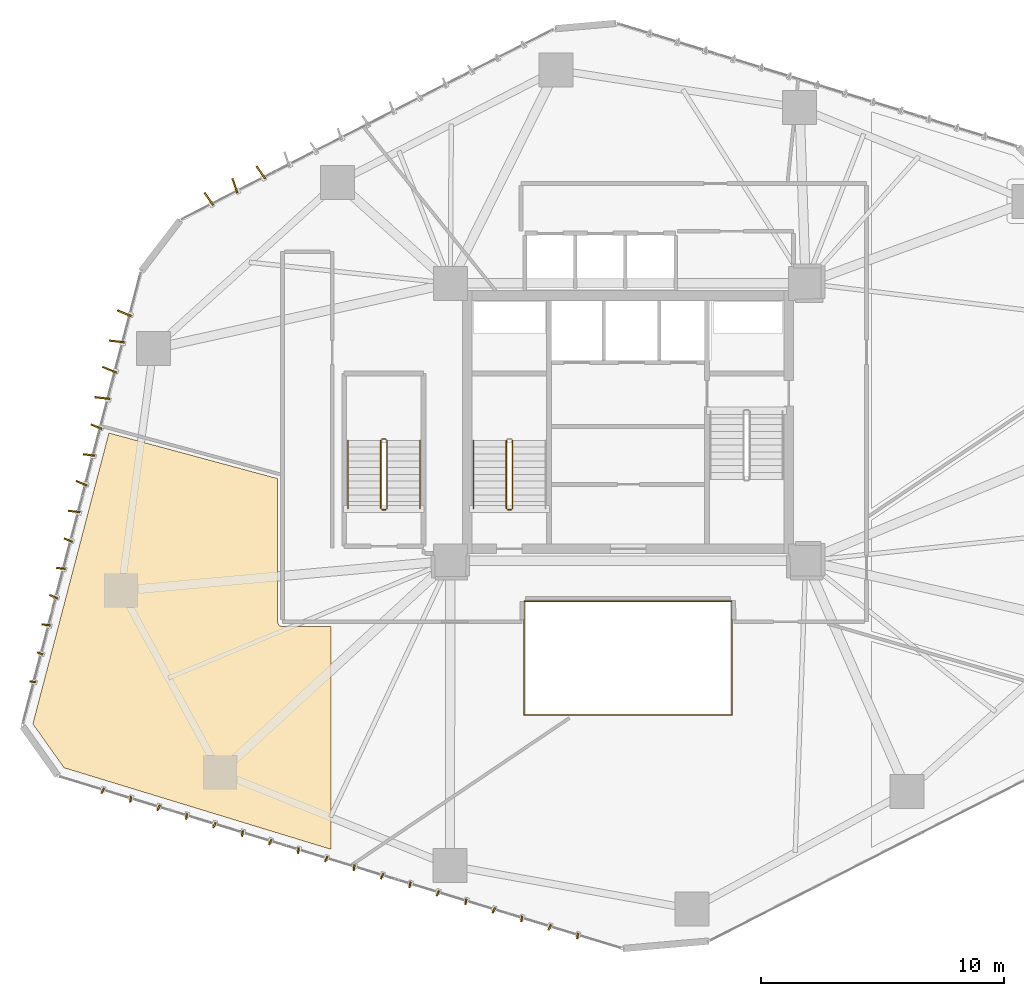
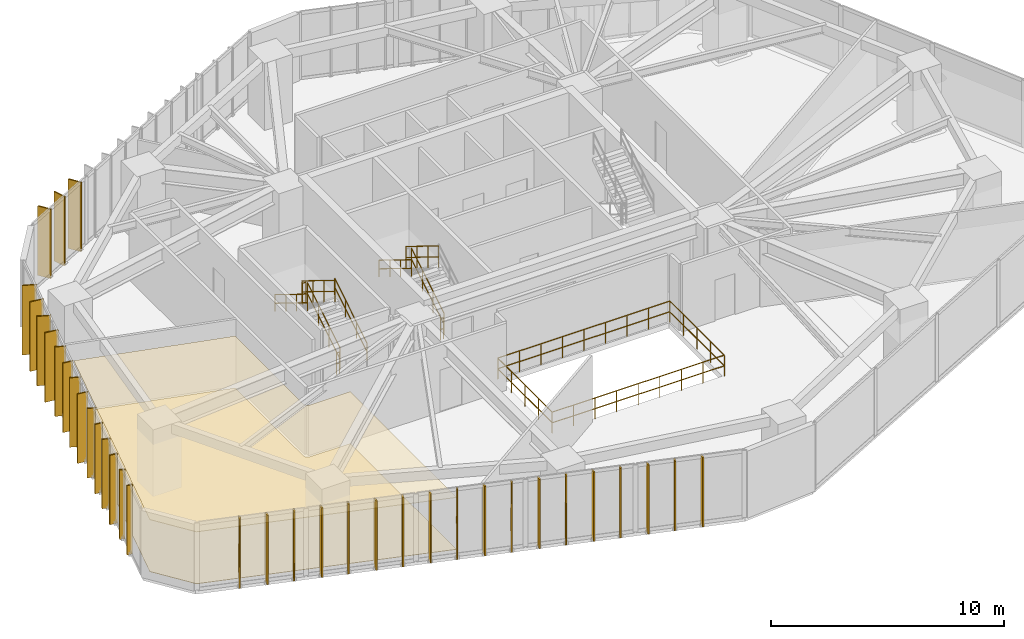
# One storey, part 22 of 24: 35 shading devices, 14 railings, 2 coverings.
"""IFC4 building model written with IfcOpenShell, lengths in metres."""

from ifc_helpers import new_model, si_unit, direction, frame, origin, origin_2d, place, context, subcontext, project, spatial, polyline, rectangle, circle, outline, extrude, source, transform, mapped, material, layer, layer_set, type_object, type_shapes, element, save


model = new_model("IFC4")

# Units and contexts
model_context = context("Model", 3, precision=1e-05, world=origin(), true_north=direction((0.0, 1.0)))
body_context = subcontext(model_context, "Body", "Model", "MODEL_VIEW")
ifc_project = project(units=[si_unit("LENGTHUNIT", "METRE"), si_unit("AREAUNIT", "SQUARE_METRE"), si_unit("VOLUMEUNIT", "CUBIC_METRE"), si_unit("PLANEANGLEUNIT", "RADIAN"), si_unit("MASSUNIT", "GRAM", prefix="KILO")], contexts=[model_context])

# Site, building, storey
site_placement = place(None, origin())
site = spatial("IfcSite", under=ifc_project, at=site_placement, CompositionType="ELEMENT")
building_placement = place(site_placement, origin())
building = spatial("IfcBuilding", under=site, at=building_placement, Name="Talar Marvaseh", CompositionType="ELEMENT")
storey_placement = place(building_placement, frame((0.0, 0.0, 39.199951171875)))
storey = spatial("IfcBuildingStorey", under=building, at=storey_placement, Name="L09", CompositionType="ELEMENT", Elevation=39.199951171875)

# Railings
ifc_material_1 = material(Name="Stainless Steel Grade 316", Category="steel")
railing_type_1 = type_object("IfcRailingType", Name="Brushed Stainless Wall Pitch Handrail 900", PredefinedType="HANDRAIL", material=ifc_material_1)
railing_1_placement = place(storey_placement, frame((19.64990234375, 30.449951171875, 2.07275390625)))
element("IfcRailing", 1, at=railing_1_placement, inside=storey, type_object=railing_type_1, Name="L09 ST-1 stair handrail 2", PredefinedType="HANDRAIL", context=body_context, shape_type="SweptSolid", body=[
    extrude(circle(Radius=0.02392578125, at=origin_2d()), frame((0.0, 0.0, 0.8759765625), z_axis=(0.0, -0.851089632645, 0.525020415988), x_axis=(1.0, 0.0, 0.0)), (0.0, 0.0, 1.0), 3.2900390625),
    extrude(circle(Radius=0.02392578125, at=origin_2d()), frame((0.0, 0.0, 0.42578125), z_axis=(0.0, -0.851089632645, 0.525020415988), x_axis=(1.0, 0.0, 0.0)), (0.0, 0.0, 1.0), 3.2900390625),
    extrude(circle(Radius=0.02099609375, at=origin_2d()), origin(), (0.0, 0.0, 1.0), 0.851806640625),
    extrude(circle(Radius=0.02099609375, at=origin_2d()), frame((0.0, -0.933349609375, 0.57568359375)), (0.0, 0.0, 1.0), 0.851806640625),
    extrude(circle(Radius=0.02099609375, at=origin_2d()), frame((0.0, -1.86669921875, 1.151611328125)), (0.0, 0.0, 1.0), 0.851806640625),
    extrude(circle(Radius=0.02099609375, at=origin_2d()), frame((0.0, -2.800048828125, 1.727294921875)), (0.0, 0.0, 1.0), 0.851806640625),
])
railing_2_placement = place(storey_placement, frame((17.449951171875, 27.64990234375, 0.1728515625)))
element("IfcRailing", 2, at=railing_2_placement, inside=storey, type_object=railing_type_1, Name="L09 ST-3 stair handrail 1", PredefinedType="HANDRAIL", context=body_context, shape_type="SweptSolid", body=[
    extrude(circle(Radius=0.02392578125, at=origin_2d()), frame((0.0, 0.0, 0.8759765625), z_axis=(0.0, 0.851089632645, 0.525020415988), x_axis=(-1.0, 0.0, 0.0)), (0.0, 0.0, 1.0), 3.2900390625),
    extrude(circle(Radius=0.02392578125, at=origin_2d()), frame((0.0, 0.0, 0.42578125), z_axis=(0.0, 0.851089632645, 0.525020415988), x_axis=(-1.0, 0.0, 0.0)), (0.0, 0.0, 1.0), 3.2900390625),
    extrude(circle(Radius=0.02099609375, at=origin_2d()), origin(), (0.0, 0.0, 1.0), 0.851806640625),
    extrude(circle(Radius=0.02099609375, at=origin_2d()), frame((0.0, 0.933349609375, 0.57568359375)), (0.0, 0.0, 1.0), 0.851806640625),
    extrude(circle(Radius=0.02099609375, at=origin_2d()), frame((0.0, 1.86669921875, 1.151611328125)), (0.0, 0.0, 1.0), 0.851806640625),
    extrude(circle(Radius=0.02099609375, at=origin_2d()), frame((0.0, 2.800048828125, 1.727294921875)), (0.0, 0.0, 1.0), 0.851806640625),
])
railing_3_placement = place(storey_placement, frame((14.489990234375, 30.449951171875, 2.07275390625)))
element("IfcRailing", 3, at=railing_3_placement, inside=storey, type_object=railing_type_1, Name="L09 ST-3 stair handrail 2", PredefinedType="HANDRAIL", context=body_context, shape_type="SweptSolid", body=[
    extrude(circle(Radius=0.02392578125, at=origin_2d()), frame((0.0, 0.0, 0.8759765625), z_axis=(0.0, -0.851089632645, 0.525020415988), x_axis=(1.0, 0.0, 0.0)), (0.0, 0.0, 1.0), 3.2900390625),
    extrude(circle(Radius=0.02392578125, at=origin_2d()), frame((0.0, 0.0, 0.42578125), z_axis=(0.0, -0.851089632645, 0.525020415988), x_axis=(1.0, 0.0, 0.0)), (0.0, 0.0, 1.0), 3.2900390625),
    extrude(circle(Radius=0.02099609375, at=origin_2d()), origin(), (0.0, 0.0, 1.0), 0.851806640625),
    extrude(circle(Radius=0.02099609375, at=origin_2d()), frame((0.0, -0.933349609375, 0.57568359375)), (0.0, 0.0, 1.0), 0.851806640625),
    extrude(circle(Radius=0.02099609375, at=origin_2d()), frame((0.0, -1.86669921875, 1.151611328125)), (0.0, 0.0, 1.0), 0.851806640625),
    extrude(circle(Radius=0.02099609375, at=origin_2d()), frame((0.0, -2.800048828125, 1.727294921875)), (0.0, 0.0, 1.0), 0.851806640625),
])
ifc_material_2 = material(Name="Tempered Clear Glass", Category="glass")
railing_type_2 = type_object("IfcRailingType", Name="Interior Atrium Edge Balustrade 1120", PredefinedType="BALUSTRADE", material=ifc_material_2)
railing_4_placement = place(storey_placement, frame((21.729736328125, 19.16162109375, 0.0)))
element("IfcRailing", 4, at=railing_4_placement, inside=storey, type_object=railing_type_2, Name="L09 Internal Daylight Atrium Balustrade 1", PredefinedType="BALUSTRADE", context=body_context, shape_type="SweptSolid", body=[
    extrude(circle(Radius=0.02392578125, at=origin_2d()), frame((0.0, 0.0, 1.09619140625), z_axis=(1.0, 0.0, 0.0), x_axis=(0.0, 1.0, 0.0)), (0.0, 0.0, 1.0), 8.54052734375),
    extrude(circle(Radius=0.02392578125, at=origin_2d()), frame((0.0, 0.0, 0.5361328125), z_axis=(1.0, 0.0, 0.0), x_axis=(0.0, 1.0, 0.0)), (0.0, 0.0, 1.0), 8.54052734375),
    extrude(circle(Radius=0.02099609375, at=origin_2d()), origin(), (0.0, 0.0, 1.0), 1.072021484375),
    extrude(circle(Radius=0.02099609375, at=origin_2d()), frame((1.067626953125, 0.0, 0.0)), (0.0, 0.0, 1.0), 1.072021484375),
    extrude(circle(Radius=0.02099609375, at=origin_2d()), frame((2.13525390625, 0.0, 0.0)), (0.0, 0.0, 1.0), 1.072021484375),
    extrude(circle(Radius=0.02099609375, at=origin_2d()), frame((3.20263671875, 0.0, 0.0)), (0.0, 0.0, 1.0), 1.072021484375),
    extrude(circle(Radius=0.02099609375, at=origin_2d()), frame((4.270263671875, 0.0, 0.0)), (0.0, 0.0, 1.0), 1.072021484375),
    extrude(circle(Radius=0.02099609375, at=origin_2d()), frame((5.337890625, 0.0, 0.0)), (0.0, 0.0, 1.0), 1.072021484375),
    extrude(circle(Radius=0.02099609375, at=origin_2d()), frame((6.4052734375, 0.0, 0.0)), (0.0, 0.0, 1.0), 1.072021484375),
    extrude(circle(Radius=0.02099609375, at=origin_2d()), frame((7.472900390625, 0.0, 0.0)), (0.0, 0.0, 1.0), 1.072021484375),
    extrude(circle(Radius=0.02099609375, at=origin_2d()), frame((8.54052734375, 0.0, 0.0)), (0.0, 0.0, 1.0), 1.072021484375),
])
railing_5_placement = place(storey_placement, frame((30.270263671875, 19.16162109375, 0.0)))
element("IfcRailing", 5, at=railing_5_placement, inside=storey, type_object=railing_type_2, Name="L09 Internal Daylight Atrium Balustrade 2", PredefinedType="BALUSTRADE", context=body_context, shape_type="SweptSolid", body=[
    extrude(circle(Radius=0.02392578125, at=origin_2d()), frame((0.0, 0.0, 1.09619140625), z_axis=(0.0, 1.0, 0.0), x_axis=(-1.0, 0.0, 0.0)), (0.0, 0.0, 1.0), 4.6767578125),
    extrude(circle(Radius=0.02392578125, at=origin_2d()), frame((0.0, 0.0, 0.5361328125), z_axis=(0.0, 1.0, 0.0), x_axis=(-1.0, 0.0, 0.0)), (0.0, 0.0, 1.0), 4.6767578125),
    extrude(circle(Radius=0.02099609375, at=origin_2d()), origin(), (0.0, 0.0, 1.0), 1.072021484375),
    extrude(circle(Radius=0.02099609375, at=origin_2d()), frame((0.0, 1.169189453125, 0.0)), (0.0, 0.0, 1.0), 1.072021484375),
    extrude(circle(Radius=0.02099609375, at=origin_2d()), frame((0.0, 2.33837890625, 0.0)), (0.0, 0.0, 1.0), 1.072021484375),
    extrude(circle(Radius=0.02099609375, at=origin_2d()), frame((0.0, 3.507568359375, 0.0)), (0.0, 0.0, 1.0), 1.072021484375),
    extrude(circle(Radius=0.02099609375, at=origin_2d()), frame((0.0, 4.6767578125, 0.0)), (0.0, 0.0, 1.0), 1.072021484375),
])
railing_6_placement = place(storey_placement, frame((30.270263671875, 23.83837890625, 0.0)))
element("IfcRailing", 6, at=railing_6_placement, inside=storey, type_object=railing_type_2, Name="L09 Internal Daylight Atrium Balustrade 3", PredefinedType="BALUSTRADE", context=body_context, shape_type="SweptSolid", body=[
    extrude(circle(Radius=0.02392578125, at=origin_2d()), frame((0.0, 0.0, 1.09619140625), z_axis=(-1.0, 0.0, 0.0), x_axis=(0.0, -1.0, 0.0)), (0.0, 0.0, 1.0), 8.54052734375),
    extrude(circle(Radius=0.02392578125, at=origin_2d()), frame((0.0, 0.0, 0.5361328125), z_axis=(-1.0, 0.0, 0.0), x_axis=(0.0, -1.0, 0.0)), (0.0, 0.0, 1.0), 8.54052734375),
    extrude(circle(Radius=0.02099609375, at=origin_2d()), origin(), (0.0, 0.0, 1.0), 1.072021484375),
    extrude(circle(Radius=0.02099609375, at=origin_2d()), frame((-1.067626953125, 0.0, 0.0)), (0.0, 0.0, 1.0), 1.072021484375),
    extrude(circle(Radius=0.02099609375, at=origin_2d()), frame((-2.13525390625, 0.0, 0.0)), (0.0, 0.0, 1.0), 1.072021484375),
    extrude(circle(Radius=0.02099609375, at=origin_2d()), frame((-3.20263671875, 0.0, 0.0)), (0.0, 0.0, 1.0), 1.072021484375),
    extrude(circle(Radius=0.02099609375, at=origin_2d()), frame((-4.270263671875, 0.0, 0.0)), (0.0, 0.0, 1.0), 1.072021484375),
    extrude(circle(Radius=0.02099609375, at=origin_2d()), frame((-5.337890625, 0.0, 0.0)), (0.0, 0.0, 1.0), 1.072021484375),
    extrude(circle(Radius=0.02099609375, at=origin_2d()), frame((-6.4052734375, 0.0, 0.0)), (0.0, 0.0, 1.0), 1.072021484375),
    extrude(circle(Radius=0.02099609375, at=origin_2d()), frame((-7.472900390625, 0.0, 0.0)), (0.0, 0.0, 1.0), 1.072021484375),
    extrude(circle(Radius=0.02099609375, at=origin_2d()), frame((-8.54052734375, 0.0, 0.0)), (0.0, 0.0, 1.0), 1.072021484375),
])
railing_7_placement = place(storey_placement, frame((21.729736328125, 23.83837890625, 0.0)))
element("IfcRailing", 7, at=railing_7_placement, inside=storey, type_object=railing_type_2, Name="L09 Internal Daylight Atrium Balustrade 4", PredefinedType="BALUSTRADE", context=body_context, shape_type="SweptSolid", body=[
    extrude(circle(Radius=0.02392578125, at=origin_2d()), frame((0.0, 0.0, 1.09619140625), z_axis=(0.0, -1.0, 0.0), x_axis=(1.0, 0.0, 0.0)), (0.0, 0.0, 1.0), 4.6767578125),
    extrude(circle(Radius=0.02392578125, at=origin_2d()), frame((0.0, 0.0, 0.5361328125), z_axis=(0.0, -1.0, 0.0), x_axis=(1.0, 0.0, 0.0)), (0.0, 0.0, 1.0), 4.6767578125),
    extrude(circle(Radius=0.02099609375, at=origin_2d()), origin(), (0.0, 0.0, 1.0), 1.072021484375),
    extrude(circle(Radius=0.02099609375, at=origin_2d()), frame((0.0, -1.169189453125, 0.0)), (0.0, 0.0, 1.0), 1.072021484375),
    extrude(circle(Radius=0.02099609375, at=origin_2d()), frame((0.0, -2.33837890625, 0.0)), (0.0, 0.0, 1.0), 1.072021484375),
    extrude(circle(Radius=0.02099609375, at=origin_2d()), frame((0.0, -3.507568359375, 0.0)), (0.0, 0.0, 1.0), 1.072021484375),
    extrude(circle(Radius=0.02099609375, at=origin_2d()), frame((0.0, -4.6767578125, 0.0)), (0.0, 0.0, 1.0), 1.072021484375),
])
railing_type_3 = type_object("IfcRailingType", Name="Painted Steel Core Stair Well Guardrail 1150", PredefinedType="GUARDRAIL", material=ifc_material_1)
railing_8_placement = place(storey_placement, frame((21.260009765625, 27.64990234375, 0.1728515625)))
element("IfcRailing", 8, at=railing_8_placement, inside=storey, type_object=railing_type_3, Name="L09 ST-1 stair guard 1", PredefinedType="GUARDRAIL", context=body_context, shape_type="SweptSolid", body=[
    extrude(circle(Radius=0.02392578125, at=origin_2d()), frame((0.0, 0.0, 1.1259765625), z_axis=(0.0, 0.851089632645, 0.525020415988), x_axis=(-1.0, 0.0, 0.0)), (0.0, 0.0, 1.0), 3.2900390625),
    extrude(circle(Radius=0.02392578125, at=origin_2d()), frame((0.0, 0.0, 0.55078125), z_axis=(0.0, 0.851089632645, 0.525020415988), x_axis=(-1.0, 0.0, 0.0)), (0.0, 0.0, 1.0), 3.2900390625),
    extrude(circle(Radius=0.02099609375, at=origin_2d()), origin(), (0.0, 0.0, 1.0), 1.101806640625),
    extrude(circle(Radius=0.02099609375, at=origin_2d()), frame((0.0, 0.933349609375, 0.57568359375)), (0.0, 0.0, 1.0), 1.101806640625),
    extrude(circle(Radius=0.02099609375, at=origin_2d()), frame((0.0, 1.86669921875, 1.151611328125)), (0.0, 0.0, 1.0), 1.101806640625),
    extrude(circle(Radius=0.02099609375, at=origin_2d()), frame((0.0, 2.800048828125, 1.727294921875)), (0.0, 0.0, 1.0), 1.101806640625),
])
railing_9_placement = place(storey_placement, frame((21.0, 30.449951171875, 2.07275390625)))
element("IfcRailing", 9, at=railing_9_placement, inside=storey, type_object=railing_type_3, Name="L09 ST-1 stair guard 3", PredefinedType="GUARDRAIL", context=body_context, shape_type="SweptSolid", body=[
    extrude(circle(Radius=0.02392578125, at=origin_2d()), frame((0.0, 0.0, 1.1259765625), z_axis=(0.0, -0.851089632645, 0.525020415988), x_axis=(1.0, 0.0, 0.0)), (0.0, 0.0, 1.0), 3.2900390625),
    extrude(circle(Radius=0.02392578125, at=origin_2d()), frame((0.0, 0.0, 0.55078125), z_axis=(0.0, -0.851089632645, 0.525020415988), x_axis=(1.0, 0.0, 0.0)), (0.0, 0.0, 1.0), 3.2900390625),
    extrude(circle(Radius=0.02099609375, at=origin_2d()), origin(), (0.0, 0.0, 1.0), 1.101806640625),
    extrude(circle(Radius=0.02099609375, at=origin_2d()), frame((0.0, -0.933349609375, 0.57568359375)), (0.0, 0.0, 1.0), 1.101806640625),
    extrude(circle(Radius=0.02099609375, at=origin_2d()), frame((0.0, -1.86669921875, 1.151611328125)), (0.0, 0.0, 1.0), 1.101806640625),
    extrude(circle(Radius=0.02099609375, at=origin_2d()), frame((0.0, -2.800048828125, 1.727294921875)), (0.0, 0.0, 1.0), 1.101806640625),
])
railing_10_placement = place(storey_placement, frame((21.2099609375, 27.60009765625, 0.0)))
element("IfcRailing", 10, at=railing_10_placement, inside=storey, type_object=railing_type_3, Name="L09 ST-1 stair guard 4", PredefinedType="GUARDRAIL", context=body_context, shape_type="SweptSolid", body=[
    extrude(circle(Radius=0.02392578125, at=origin_2d()), frame((0.0, 0.0, 1.1259765625), z_axis=(-1.0, 0.0, 0.0), x_axis=(0.0, -1.0, 0.0)), (0.0, 0.0, 1.0), 0.159912109375),
    extrude(circle(Radius=0.02392578125, at=origin_2d()), frame((0.0, 0.0, 0.55078125), z_axis=(-1.0, 0.0, 0.0), x_axis=(0.0, -1.0, 0.0)), (0.0, 0.0, 1.0), 0.159912109375),
    extrude(circle(Radius=0.02099609375, at=origin_2d()), origin(), (0.0, 0.0, 1.0), 1.101806640625),
    extrude(circle(Radius=0.02099609375, at=origin_2d()), frame((-0.159912109375, 0.0, 0.0)), (0.0, 0.0, 1.0), 1.101806640625),
])
railing_11_placement = place(storey_placement, frame((16.10009765625, 27.64990234375, 0.1728515625)))
element("IfcRailing", 11, at=railing_11_placement, inside=storey, type_object=railing_type_3, Name="L09 ST-3 stair guard 1", PredefinedType="GUARDRAIL", context=body_context, shape_type="SweptSolid", body=[
    extrude(circle(Radius=0.02392578125, at=origin_2d()), frame((0.0, 0.0, 1.1259765625), z_axis=(0.0, 0.851089632645, 0.525020415988), x_axis=(-1.0, 0.0, 0.0)), (0.0, 0.0, 1.0), 3.2900390625),
    extrude(circle(Radius=0.02392578125, at=origin_2d()), frame((0.0, 0.0, 0.55078125), z_axis=(0.0, 0.851089632645, 0.525020415988), x_axis=(-1.0, 0.0, 0.0)), (0.0, 0.0, 1.0), 3.2900390625),
    extrude(circle(Radius=0.02099609375, at=origin_2d()), origin(), (0.0, 0.0, 1.0), 1.101806640625),
    extrude(circle(Radius=0.02099609375, at=origin_2d()), frame((0.0, 0.933349609375, 0.57568359375)), (0.0, 0.0, 1.0), 1.101806640625),
    extrude(circle(Radius=0.02099609375, at=origin_2d()), frame((0.0, 1.86669921875, 1.151611328125)), (0.0, 0.0, 1.0), 1.101806640625),
    extrude(circle(Radius=0.02099609375, at=origin_2d()), frame((0.0, 2.800048828125, 1.727294921875)), (0.0, 0.0, 1.0), 1.101806640625),
])
railing_12_placement = place(storey_placement, frame((16.050048828125, 30.5, 1.900146484375)))
element("IfcRailing", 12, at=railing_12_placement, inside=storey, type_object=railing_type_3, Name="L09 ST-3 stair guard 2", PredefinedType="GUARDRAIL", context=body_context, shape_type="SweptSolid", body=[
    extrude(circle(Radius=0.02392578125, at=origin_2d()), frame((0.0, 0.0, 1.1259765625), z_axis=(-1.0, 0.0, 0.0), x_axis=(0.0, -1.0, 0.0)), (0.0, 0.0, 1.0), 0.16015625),
    extrude(circle(Radius=0.02392578125, at=origin_2d()), frame((0.0, 0.0, 0.55078125), z_axis=(-1.0, 0.0, 0.0), x_axis=(0.0, -1.0, 0.0)), (0.0, 0.0, 1.0), 0.16015625),
    extrude(circle(Radius=0.02099609375, at=origin_2d()), origin(), (0.0, 0.0, 1.0), 1.101806640625),
    extrude(circle(Radius=0.02099609375, at=origin_2d()), frame((-0.16015625, 0.0, 0.0)), (0.0, 0.0, 1.0), 1.101806640625),
])
railing_13_placement = place(storey_placement, frame((15.840087890625, 30.449951171875, 2.07275390625)))
element("IfcRailing", 13, at=railing_13_placement, inside=storey, type_object=railing_type_3, Name="L09 ST-3 stair guard 3", PredefinedType="GUARDRAIL", context=body_context, shape_type="SweptSolid", body=[
    extrude(circle(Radius=0.02392578125, at=origin_2d()), frame((0.0, 0.0, 1.1259765625), z_axis=(0.0, -0.851089632645, 0.525020415988), x_axis=(1.0, 0.0, 0.0)), (0.0, 0.0, 1.0), 3.2900390625),
    extrude(circle(Radius=0.02392578125, at=origin_2d()), frame((0.0, 0.0, 0.55078125), z_axis=(0.0, -0.851089632645, 0.525020415988), x_axis=(1.0, 0.0, 0.0)), (0.0, 0.0, 1.0), 3.2900390625),
    extrude(circle(Radius=0.02099609375, at=origin_2d()), origin(), (0.0, 0.0, 1.0), 1.101806640625),
    extrude(circle(Radius=0.02099609375, at=origin_2d()), frame((0.0, -0.933349609375, 0.57568359375)), (0.0, 0.0, 1.0), 1.101806640625),
    extrude(circle(Radius=0.02099609375, at=origin_2d()), frame((0.0, -1.86669921875, 1.151611328125)), (0.0, 0.0, 1.0), 1.101806640625),
    extrude(circle(Radius=0.02099609375, at=origin_2d()), frame((0.0, -2.800048828125, 1.727294921875)), (0.0, 0.0, 1.0), 1.101806640625),
])
railing_14_placement = place(storey_placement, frame((16.050048828125, 27.60009765625, 0.0)))
element("IfcRailing", 14, at=railing_14_placement, inside=storey, type_object=railing_type_3, Name="L09 ST-3 stair guard 4", PredefinedType="GUARDRAIL", context=body_context, shape_type="SweptSolid", body=[
    extrude(circle(Radius=0.02392578125, at=origin_2d()), frame((0.0, 0.0, 1.1259765625), z_axis=(-1.0, 0.0, 0.0), x_axis=(0.0, -1.0, 0.0)), (0.0, 0.0, 1.0), 0.16015625),
    extrude(circle(Radius=0.02392578125, at=origin_2d()), frame((0.0, 0.0, 0.55078125), z_axis=(-1.0, 0.0, 0.0), x_axis=(0.0, -1.0, 0.0)), (0.0, 0.0, 1.0), 0.16015625),
    extrude(circle(Radius=0.02099609375, at=origin_2d()), origin(), (0.0, 0.0, 1.0), 1.101806640625),
    extrude(circle(Radius=0.02099609375, at=origin_2d()), frame((-0.16015625, 0.0, 0.0)), (0.0, 0.0, 1.0), 1.101806640625),
])

# Coverings
ifc_material_3 = material(Name="Mineral Fibre Acoustic Ceiling")
ifc_layer_1 = layer(ifc_material_3, 0.02490234375)
ifc_layer_set_1 = layer_set([ifc_layer_1], Name="Mineral Fibre Acoustic Ceiling")
covering_type_1 = type_object("IfcCoveringType", Name="Perforated Mineral Fibre Acoustic Suspended Ceiling", PredefinedType="CEILING", material=ifc_layer_set_1)
covering_1_placement = place(storey_placement, frame((0.0, 0.0, 2.719970703125)))
element("IfcCovering", 15, at=covering_1_placement, inside=storey, type_object=covering_type_1, Name="L09 Exhibition Gallery Acoustic Ceiling", PredefinedType="CEILING", context=body_context, shape_type="SweptSolid", body=[
    extrude(outline(polyline([(11.60009765625, 28.87841796875), (11.60009765625, 23.0), (11.60107421875, 22.98046875), (11.603759765625, 22.9609375), (11.608642578125, 22.94189453125), (11.615234375, 22.923583984375), (11.62353515625, 22.90576171875), (11.6337890625, 22.888916015625), (11.6455078125, 22.873046875), (11.65869140625, 22.858642578125), (11.673095703125, 22.845458984375), (11.68896484375, 22.833740234375), (11.705810546875, 22.823486328125), (11.723388671875, 22.815185546875), (11.741943359375, 22.80859375), (11.760986328125, 22.8037109375), (11.780517578125, 22.801025390625), (11.800048828125, 22.800048828125), (13.800048828125, 22.800048828125), (13.800048828125, 13.646484375), (2.82958984375, 16.99853515625), (1.548828125, 18.799072265625), (4.673583984375, 30.748779296875), (11.60009765625, 28.87841796875)])), origin(), (0.0, 0.0, 1.0), 0.025146484375),
])
ifc_material_4 = material(Name="Porcelain Stoneware Tile", Category="masonry")
ifc_layer_2 = layer(ifc_material_4, 0.02001953125)
ifc_layer_set_2 = layer_set([ifc_layer_2], Name="Porcelain Stoneware Tile")
covering_type_2 = type_object("IfcCoveringType", Name="Polished Porcelain Stoneware Gallery Flooring", PredefinedType="FLOORING", material=ifc_layer_set_2)
covering_2_placement = place(storey_placement, origin())
element("IfcCovering", 16, at=covering_2_placement, inside=storey, type_object=covering_type_2, Name="L09 Exhibition Gallery Flooring", PredefinedType="FLOORING", context=body_context, shape_type="SweptSolid", body=[
    extrude(outline(polyline([(11.60009765625, 28.87841796875), (11.60009765625, 23.0), (11.60107421875, 22.98046875), (11.603759765625, 22.9609375), (11.608642578125, 22.94189453125), (11.615234375, 22.923583984375), (11.62353515625, 22.90576171875), (11.6337890625, 22.888916015625), (11.6455078125, 22.873046875), (11.65869140625, 22.858642578125), (11.673095703125, 22.845458984375), (11.68896484375, 22.833740234375), (11.705810546875, 22.823486328125), (11.723388671875, 22.815185546875), (11.741943359375, 22.80859375), (11.760986328125, 22.8037109375), (11.780517578125, 22.801025390625), (11.800048828125, 22.800048828125), (13.800048828125, 22.800048828125), (13.800048828125, 13.646484375), (2.82958984375, 16.99853515625), (1.548828125, 18.799072265625), (4.673583984375, 30.748779296875), (11.60009765625, 28.87841796875)])), origin(), (0.0, 0.0, 1.0), 0.02001953125),
])

# Shading devices
ifc_material_5 = material(Name="Anodised Champagne Bronze Aluminium", Category="aluminium")
ifc_layer_3 = layer(ifc_material_5, 0.06494140625)
ifc_layer_set_3 = layer_set([ifc_layer_3], Name="Anodised Champagne Bronze Aluminium")
shading_device_type_1 = type_object("IfcShadingDeviceType", Name="Sawtooth Champagne Bronze Vertical Fin 240", PredefinedType="USERDEFINED", material=ifc_layer_set_3)
shared_shape_1 = source(origin(), body_context, "Body", "SweptSolid", [
    extrude(rectangle(XDim=0.239990234375, YDim=0.06494140625, at=origin_2d()), origin(), (0.0, 0.0, 1.0), 3.639892578125),
])
type_shapes(shading_device_type_1, [shared_shape_1])
for number, where, z_axis, x_axis, name in (
    (17, (1.5419921875, 20.531494140625, -0.1201171875), (0.0, 0.0, 1.0), (-0.993272085779, 0.115803987891, 0.0), "L09 Sawtooth Vertical Solar Fin"),
    (18, (1.845703125, 21.6923828125, -0.1201171875), (0.0, 0.0, 1.0), (-0.922874504689, 0.385100829128, 0.0), "L09 Sawtooth Vertical Solar Fin"),
    (19, (23.928466796875, 10.086181640625, -0.1201171875), (0.0, 0.0, 1.0), (-0.156262078523, -0.987715628516, 0.0), "L09 Sawtooth Vertical Solar Fin"),
    (20, (22.78076171875, 10.43701171875, -0.1201171875), (0.0, 0.0, 1.0), (-0.422460074755, -0.906381534034, 0.0), "L09 Sawtooth Vertical Solar Fin"),
    (21, (21.633056640625, 10.78759765625, -0.1201171875), (0.0, 0.0, 1.0), (-0.156262078523, -0.987715628516, 0.0), "L09 Sawtooth Vertical Solar Fin"),
    (22, (20.485595703125, 11.13818359375, -0.1201171875), (0.0, 0.0, 1.0), (-0.422460074755, -0.906381534034, 0.0), "L09 Sawtooth Vertical Solar Fin"),
    (23, (19.337890625, 11.489013671875, -0.1201171875), (0.0, 0.0, 1.0), (-0.156262078523, -0.987715628516, 0.0), "L09 Sawtooth Vertical Solar Fin"),
    (24, (18.190185546875, 11.839599609375, -0.1201171875), (0.0, 0.0, 1.0), (-0.422460074755, -0.906381534034, 0.0), "L09 Sawtooth Vertical Solar Fin"),
    (25, (17.042724609375, 12.190185546875, -0.1201171875), (0.0, 0.0, 1.0), (-0.156262078523, -0.987715628516, 0.0), "L09 Sawtooth Vertical Solar Fin"),
    (26, (15.89501953125, 12.541015625, -0.1201171875), (0.0, 0.0, 1.0), (-0.422460074755, -0.906381534034, 0.0), "L09 Sawtooth Vertical Solar Fin"),
    (27, (14.747314453125, 12.8916015625, -0.1201171875), (0.0, 0.0, 1.0), (-0.156262078523, -0.987715628516, 0.0), "L09 Sawtooth Vertical Solar Fin"),
    (28, (13.599853515625, 13.2421875, -0.1201171875), (0.0, 0.0, 1.0), (-0.422460074755, -0.906381534034, 0.0), "L09 Sawtooth Vertical Solar Fin"),
    (29, (12.4521484375, 13.593017578125, -0.1201171875), (0.0, 0.0, 1.0), (-0.156262078523, -0.987715628516, 0.0), "L09 Sawtooth Vertical Solar Fin"),
    (30, (11.3046875, 13.943603515625, -0.1201171875), (0.0, 0.0, 1.0), (-0.422460074755, -0.906381534034, 0.0), "L09 Sawtooth Vertical Solar Fin"),
    (31, (10.156982421875, 14.294189453125, -0.1201171875), (0.0, 0.0, 1.0), (-0.156262078523, -0.987715628516, 0.0), "L09 Sawtooth Vertical Solar Fin"),
    (32, (9.00927734375, 14.64501953125, -0.1201171875), (0.0, 0.0, 1.0), (-0.422460074755, -0.906381534034, 0.0), "L09 Sawtooth Vertical Solar Fin"),
    (33, (7.86181640625, 14.99560546875, -0.1201171875), (0.0, 0.0, 1.0), (-0.156262078523, -0.987715628516, 0.0), "L09 Sawtooth Vertical Solar Fin"),
    (34, (6.714111328125, 15.34619140625, -0.1201171875), (0.0, 0.0, 1.0), (-0.422460074755, -0.906381534034, 0.0), "L09 Sawtooth Vertical Solar Fin"),
    (35, (5.56640625, 15.697021484375, -0.1201171875), (0.0, 0.0, 1.0), (-0.156262078523, -0.987715628516, 0.0), "L09 Sawtooth Vertical Solar Fin"),
    (36, (4.418701171875, 16.047607421875, -0.1201171875), (0.0, 0.0, 1.0), (-0.422460074755, -0.906381534034, 0.0), "L09 Sawtooth Vertical Solar Fin"),
):
    element("IfcShadingDevice", number, at=place(storey_placement, frame(where, z_axis=z_axis, x_axis=x_axis)), inside=storey, type_object=shading_device_type_1, Name=name, ObjectType="FIN", PredefinedType="USERDEFINED", context=body_context, shape_type="MappedRepresentation", body=[
        mapped(shared_shape_1, transform((0.0, 0.0, 0.0), x_axis=(1.0, 0.0, 0.0), y_axis=(0.0, 1.0, 0.0), z_axis=(0.0, 0.0, 1.0), scale=1.0)),
    ])
ifc_layer_4 = layer(ifc_material_5, 0.06494140625)
ifc_layer_set_4 = layer_set([ifc_layer_4], Name="Anodised Champagne Bronze Aluminium")
shading_device_type_2 = type_object("IfcShadingDeviceType", Name="Sawtooth Champagne Bronze Vertical Fin 360", PredefinedType="USERDEFINED", material=ifc_layer_set_4)
shared_shape_2 = source(origin(), body_context, "Body", "SweptSolid", [
    extrude(rectangle(XDim=0.360107421875, YDim=0.06494140625, at=origin_2d()), origin(), (0.0, 0.0, 1.0), 3.639892578125),
])
type_shapes(shading_device_type_2, [shared_shape_2])
for number, where, z_axis, x_axis, name in (
    (37, (2.091064453125, 22.86865234375, -0.1201171875), (0.0, 0.0, 1.0), (-0.993272085779, 0.115803987891, 0.0), "L09 Sawtooth Vertical Solar Fin"),
    (38, (2.394775390625, 24.029541015625, -0.1201171875), (0.0, 0.0, 1.0), (-0.922874504689, 0.385100829128, 0.0), "L09 Sawtooth Vertical Solar Fin"),
    (39, (2.6982421875, 25.190673828125, -0.1201171875), (0.0, 0.0, 1.0), (-0.993272085779, 0.115803987891, 0.0), "L09 Sawtooth Vertical Solar Fin"),
    (40, (3.001708984375, 26.3515625, -0.1201171875), (0.0, 0.0, 1.0), (-0.922874504689, 0.385100829128, 0.0), "L09 Sawtooth Vertical Solar Fin"),
):
    element("IfcShadingDevice", number, at=place(storey_placement, frame(where, z_axis=z_axis, x_axis=x_axis)), inside=storey, type_object=shading_device_type_2, Name=name, ObjectType="FIN", PredefinedType="USERDEFINED", context=body_context, shape_type="MappedRepresentation", body=[
        mapped(shared_shape_2, transform((0.0, 0.0, 0.0), x_axis=(1.0, 0.0, 0.0), y_axis=(0.0, 1.0, 0.0), z_axis=(0.0, 0.0, 1.0), scale=1.0)),
    ])
ifc_layer_5 = layer(ifc_material_5, 0.06494140625)
ifc_layer_set_5 = layer_set([ifc_layer_5], Name="Anodised Champagne Bronze Aluminium")
shading_device_type_3 = type_object("IfcShadingDeviceType", Name="Sawtooth Champagne Bronze Vertical Fin 480", PredefinedType="USERDEFINED", material=ifc_layer_set_5)
shared_shape_3 = source(origin(), body_context, "Body", "SweptSolid", [
    extrude(rectangle(XDim=0.47998046875, YDim=0.06494140625, at=origin_2d()), origin(), (0.0, 0.0, 1.0), 3.639892578125),
])
type_shapes(shading_device_type_3, [shared_shape_3])
for number, where, z_axis, x_axis, name in (
    (41, (3.247314453125, 27.527587890625, -0.1201171875), (0.0, 0.0, 1.0), (-0.993272085779, 0.115803987891, 0.0), "L09 Sawtooth Vertical Solar Fin"),
    (42, (3.55078125, 28.688720703125, -0.1201171875), (0.0, 0.0, 1.0), (-0.922874504689, 0.385100829128, 0.0), "L09 Sawtooth Vertical Solar Fin"),
    (43, (3.8544921875, 29.849609375, -0.1201171875), (0.0, 0.0, 1.0), (-0.993272085779, 0.115803987891, 0.0), "L09 Sawtooth Vertical Solar Fin"),
    (44, (4.158203125, 31.010498046875, -0.1201171875), (0.0, 0.0, 1.0), (-0.922874504689, 0.385100829128, 0.0), "L09 Sawtooth Vertical Solar Fin"),
):
    element("IfcShadingDevice", number, at=place(storey_placement, frame(where, z_axis=z_axis, x_axis=x_axis)), inside=storey, type_object=shading_device_type_3, Name=name, ObjectType="FIN", PredefinedType="USERDEFINED", context=body_context, shape_type="MappedRepresentation", body=[
        mapped(shared_shape_3, transform((0.0, 0.0, 0.0), x_axis=(1.0, 0.0, 0.0), y_axis=(0.0, 1.0, 0.0), z_axis=(0.0, 0.0, 1.0), scale=1.0)),
    ])
ifc_layer_6 = layer(ifc_material_5, 0.06494140625)
ifc_layer_set_6 = layer_set([ifc_layer_6], Name="Anodised Champagne Bronze Aluminium")
shading_device_type_4 = type_object("IfcShadingDeviceType", Name="Sawtooth Champagne Bronze Vertical Fin 620", PredefinedType="USERDEFINED", material=ifc_layer_set_6)
shared_shape_4 = source(origin(), body_context, "Body", "SweptSolid", [
    extrude(rectangle(XDim=0.6201171875, YDim=0.06494140625, at=origin_2d()), origin(), (0.0, 0.0, 1.0), 3.639892578125),
])
type_shapes(shading_device_type_4, [shared_shape_4])
for number, where, z_axis, x_axis, name in (
    (45, (4.393798828125, 32.189208984375, -0.1201171875), (0.0, 0.0, 1.0), (-0.993272085779, 0.115803987891, 0.0), "L09 Sawtooth Vertical Solar Fin"),
    (46, (4.697509765625, 33.35009765625, -0.1201171875), (0.0, 0.0, 1.0), (-0.922874504689, 0.385100829128, 0.0), "L09 Sawtooth Vertical Solar Fin"),
    (47, (5.001220703125, 34.51123046875, -0.1201171875), (0.0, 0.0, 1.0), (-0.993272085779, 0.115803987891, 0.0), "L09 Sawtooth Vertical Solar Fin"),
    (48, (5.3046875, 35.672119140625, -0.1201171875), (0.0, 0.0, 1.0), (-0.922874504689, 0.385100829128, 0.0), "L09 Sawtooth Vertical Solar Fin"),
    (49, (8.77978515625, 40.366455078125, -0.1201171875), (0.0, 0.0, 1.0), (-0.574576791052, 0.818450677307, 0.0), "L09 Sawtooth Vertical Solar Fin"),
    (50, (9.84814453125, 40.91259765625, -0.1201171875), (0.0, 0.0, 1.0), (-0.326723080054, 0.945120113509, 0.0), "L09 Sawtooth Vertical Solar Fin"),
    (51, (10.916748046875, 41.45849609375, -0.1201171875), (0.0, 0.0, 1.0), (-0.574576791052, 0.818450677307, 0.0), "L09 Sawtooth Vertical Solar Fin"),
):
    element("IfcShadingDevice", number, at=place(storey_placement, frame(where, z_axis=z_axis, x_axis=x_axis)), inside=storey, type_object=shading_device_type_4, Name=name, ObjectType="FIN", PredefinedType="USERDEFINED", context=body_context, shape_type="MappedRepresentation", body=[
        mapped(shared_shape_4, transform((0.0, 0.0, 0.0), x_axis=(1.0, 0.0, 0.0), y_axis=(0.0, 1.0, 0.0), z_axis=(0.0, 0.0, 1.0), scale=1.0)),
    ])

save(model, "model.ifc")
